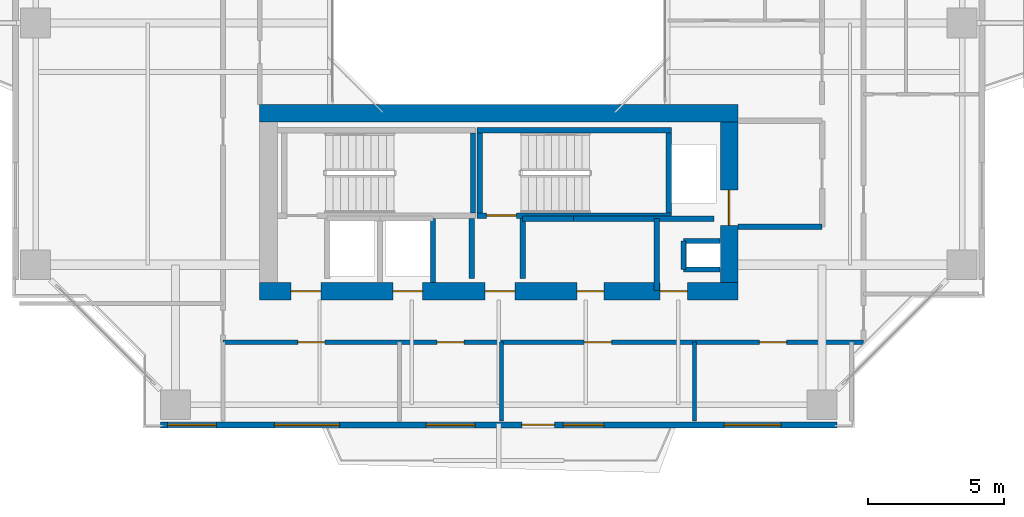
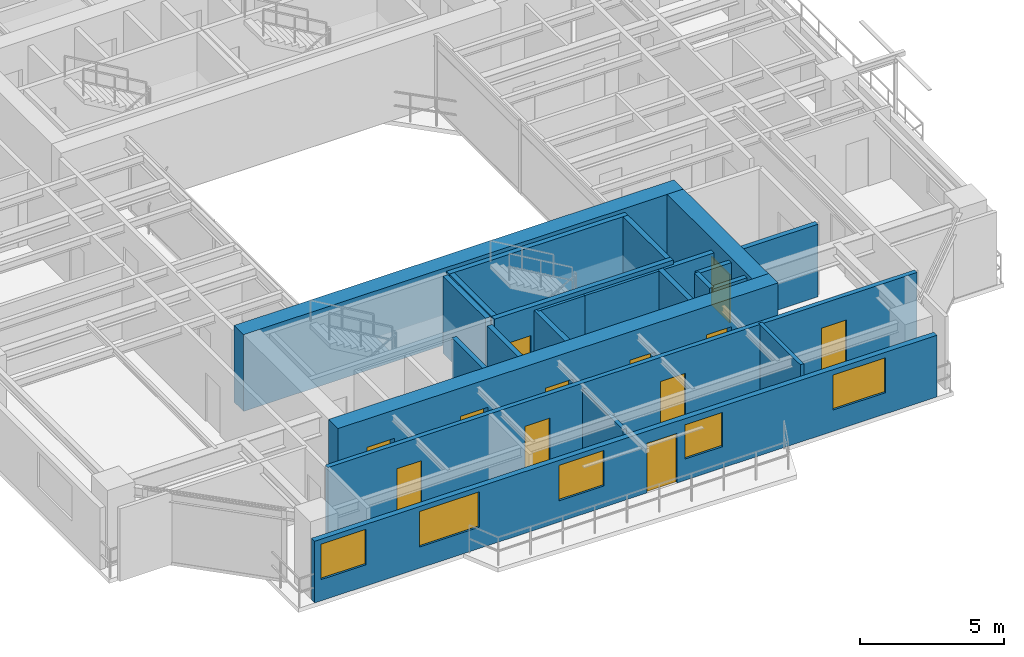
# One storey, part 10 of 17: 22 walls, 12 doors, 5 windows, 17 openings.
"""IFC4 building model written with IfcOpenShell, lengths in metres."""

from ifc_helpers import new_model, si_unit, direction, frame, frame_2d, origin, place, context, subcontext, project, spatial, rectangle, extrude, source, transform, mapped, material, layer, layer_set, type_object, element, fill, save


model = new_model("IFC4")

# Units and contexts
model_context = context("Model", 3, precision=1e-05, world=origin(), true_north=direction((0.0, 1.0)))
body_context = subcontext(model_context, "Body", "Model", "MODEL_VIEW")
ifc_project = project(units=[si_unit("LENGTHUNIT", "METRE"), si_unit("AREAUNIT", "SQUARE_METRE"), si_unit("VOLUMEUNIT", "CUBIC_METRE"), si_unit("PLANEANGLEUNIT", "RADIAN"), si_unit("MASSUNIT", "GRAM", prefix="KILO"), si_unit("THERMODYNAMICTEMPERATUREUNIT", "KELVIN"), si_unit("POWERUNIT", "WATT")], contexts=[model_context])

# Site, building, storey
site_placement = place(None, origin())
site = spatial("IfcSite", under=ifc_project, at=site_placement, CompositionType="ELEMENT")
building_placement = place(site_placement, origin())
building = spatial("IfcBuilding", under=site, at=building_placement, Name="Qiaomeng Ring Towers", CompositionType="ELEMENT")
storey_placement = place(building_placement, frame((0.0, 0.0, 116.5)))
storey = spatial("IfcBuildingStorey", under=building, at=storey_placement, Name="L33", CompositionType="ELEMENT", Elevation=116.5)

# Wall, openings, windows, door
ifc_material_1 = material(Name="Precast concrete C40", Category="concrete")
ifc_layer_1 = layer(ifc_material_1, 0.219970703125, Name="Precast concrete C40")
ifc_layer_set_1 = layer_set([ifc_layer_1], Name="Precast concrete C40")
wall_type_1 = type_object("IfcWallType", Name="ARC-WL-EW2", PredefinedType="STANDARD", material=ifc_layer_set_1)
wall_1_placement = place(storey_placement, frame((6.550048828125, 5.2099609375, 0.0), z_axis=(0.0, 0.0, 1.0), x_axis=(1.0, 0.0, 0.0)))
wall_1 = element("IfcWall", 1, at=wall_1_placement, inside=storey, type_object=wall_type_1, Name="L33 Tower 1 S Exterior Wall", PredefinedType="STANDARD", context=body_context, shape_type="SweptSolid", body=[
    extrude(rectangle(XDim=24.89990234375, YDim=0.219970703125, at=frame_2d((12.449951171875, 0.0))), origin(), (0.0, 0.0, 1.0), 2.610107421875),
])
opening_1_placement = place(wall_1_placement, frame((13.300048828125, 0.0, 0.0)))
opening_1 = element("IfcOpeningElement", 2, at=opening_1_placement, cuts=wall_1, Name="Opening BD1", PredefinedType="OPENING", context=body_context, shape_type="SweptSolid", body=[
    extrude(rectangle(XDim=1.199951171875, YDim=2.10009765625, at=frame_2d((0.60009765625, 1.050048828125))), frame((0.0, 0.119873046875, 0.0), z_axis=(0.0, -1.0, 0.0), x_axis=(1.0, 0.0, 0.0)), (0.0, 0.0, 1.0), 0.239990234375),
])
opening_2_placement = place(wall_1_placement, frame((0.257568359375, 0.0, 0.89990234375)))
opening_2 = element("IfcOpeningElement", 3, at=opening_2_placement, cuts=wall_1, Name="Opening WN1", PredefinedType="OPENING", context=body_context, shape_type="SweptSolid", body=[
    extrude(rectangle(XDim=1.800048828125, YDim=1.5, at=frame_2d((0.89990234375, 0.75))), frame((0.0, 0.119873046875, 0.0), z_axis=(0.0, -1.0, 0.0), x_axis=(1.0, 0.0, 0.0)), (0.0, 0.0, 1.0), 0.239990234375),
])
opening_3_placement = place(wall_1_placement, frame((9.77490234375, 0.0, 0.89990234375)))
opening_3 = element("IfcOpeningElement", 4, at=opening_3_placement, cuts=wall_1, Name="Opening WN1", PredefinedType="OPENING", context=body_context, shape_type="SweptSolid", body=[
    extrude(rectangle(XDim=1.800048828125, YDim=1.5, at=frame_2d((0.89990234375, 0.75))), frame((0.0, 0.119873046875, 0.0), z_axis=(0.0, -1.0, 0.0), x_axis=(1.0, 0.0, 0.0)), (0.0, 0.0, 1.0), 0.239990234375),
])
opening_4_placement = place(wall_1_placement, frame((14.81298828125, 0.0, 0.89990234375)))
opening_4 = element("IfcOpeningElement", 5, at=opening_4_placement, cuts=wall_1, Name="Opening WN2", PredefinedType="OPENING", context=body_context, shape_type="SweptSolid", body=[
    extrude(rectangle(XDim=1.5, YDim=1.449951171875, at=frame_2d((0.75, 0.72509765625))), frame((0.0, 0.119873046875, 0.0), z_axis=(0.0, -1.0, 0.0), x_axis=(1.0, 0.0, 0.0)), (0.0, 0.0, 1.0), 0.239990234375),
])
opening_5_placement = place(wall_1_placement, frame((20.738037109375, 0.0, 0.89990234375)))
opening_5 = element("IfcOpeningElement", 6, at=opening_5_placement, cuts=wall_1, Name="Opening WN4", PredefinedType="OPENING", context=body_context, shape_type="SweptSolid", body=[
    extrude(rectangle(XDim=2.10009765625, YDim=1.47998046875, at=frame_2d((1.050048828125, 0.739990234375))), frame((0.0, 0.119873046875, 0.0), z_axis=(0.0, -1.0, 0.0), x_axis=(1.0, 0.0, 0.0)), (0.0, 0.0, 1.0), 0.239990234375),
])
opening_6_placement = place(wall_1_placement, frame((4.1865234375, 0.0, 0.89990234375)))
opening_6 = element("IfcOpeningElement", 7, at=opening_6_placement, cuts=wall_1, Name="Opening WN6", PredefinedType="OPENING", context=body_context, shape_type="SweptSolid", body=[
    extrude(rectangle(XDim=2.39990234375, YDim=1.5, at=frame_2d((1.199951171875, 0.75))), frame((0.0, 0.119873046875, 0.0), z_axis=(0.0, -1.0, 0.0), x_axis=(1.0, 0.0, 0.0)), (0.0, 0.0, 1.0), 0.239990234375),
])
ifc_material_2 = material(Name="Low-E dark-grey laminated double glazing", Category="glass")
window_type_1 = type_object("IfcWindowType", Name="ARC-WN-2", PartitioningType="DOUBLE_PANEL_VERTICAL", PredefinedType="WINDOW", material=ifc_material_2)
shared_shape_1 = source(origin(), body_context, "Body", "SweptSolid", [
    extrude(rectangle(XDim=1.5, YDim=1.449951171875, at=frame_2d((0.75, 0.72509765625))), frame((0.0, 0.030029296875, 0.0), z_axis=(0.0, -1.0, 0.0), x_axis=(1.0, 0.0, 0.0)), (0.0, 0.0, 1.0), 0.06005859375),
])
window_1_placement = place(opening_4_placement, origin())
window_1 = element("IfcWindow", 8, at=window_1_placement, inside=storey, type_object=window_type_1, Name="L33 Exterior Window WN2", OverallHeight=1.449951171875, OverallWidth=1.5, PartitioningType="DOUBLE_PANEL_VERTICAL", PredefinedType="WINDOW", context=body_context, shape_type="MappedRepresentation", body=[
    mapped(shared_shape_1, transform((0.0, 0.0, 0.0), x_axis=(1.0, 0.0, 0.0), y_axis=(0.0, 1.0, 0.0), z_axis=(0.0, 0.0, 1.0), scale=1.0)),
])
fill(opening_4, window_1)
window_type_2 = type_object("IfcWindowType", Name="ARC-WN-4", PartitioningType="TRIPLE_PANEL_VERTICAL", PredefinedType="WINDOW", material=ifc_material_2)
shared_shape_2 = source(origin(), body_context, "Body", "SweptSolid", [
    extrude(rectangle(XDim=2.10009765625, YDim=1.47998046875, at=frame_2d((1.050048828125, 0.739990234375))), frame((0.0, 0.030029296875, 0.0), z_axis=(0.0, -1.0, 0.0), x_axis=(1.0, 0.0, 0.0)), (0.0, 0.0, 1.0), 0.06005859375),
])
window_2_placement = place(opening_5_placement, origin())
window_2 = element("IfcWindow", 9, at=window_2_placement, inside=storey, type_object=window_type_2, Name="L33 Exterior Window WN4", OverallHeight=1.47998046875, OverallWidth=2.10009765625, PartitioningType="TRIPLE_PANEL_VERTICAL", PredefinedType="WINDOW", context=body_context, shape_type="MappedRepresentation", body=[
    mapped(shared_shape_2, transform((0.0, 0.0, 0.0), x_axis=(1.0, 0.0, 0.0), y_axis=(0.0, 1.0, 0.0), z_axis=(0.0, 0.0, 1.0), scale=1.0)),
])
fill(opening_5, window_2)
door_type_1 = type_object("IfcDoorType", Name="ARC-DR-BD1", OperationType="NOTDEFINED", PredefinedType="DOOR", material=ifc_material_2)
shared_shape_3 = source(origin(), body_context, "Body", "SweptSolid", [
    extrude(rectangle(XDim=1.199951171875, YDim=2.10009765625, at=frame_2d((0.60009765625, 1.050048828125))), frame((0.0, 0.02490234375, 0.0), z_axis=(0.0, -1.0, 0.0), x_axis=(1.0, 0.0, 0.0)), (0.0, 0.0, 1.0), 0.050048828125),
])
door_1_placement = place(opening_1_placement, frame((1.199951171875, 0.0, 0.0), z_axis=(0.0, 0.0, 1.0), x_axis=(-1.0, 0.0, 0.0)))
door_1 = element("IfcDoor", 10, at=door_1_placement, inside=storey, type_object=door_type_1, Name="L33 S Balcony Glazed Door", OperationType="SINGLE_SWING_LEFT", OverallHeight=2.10009765625, OverallWidth=1.199951171875, PredefinedType="DOOR", context=body_context, shape_type="MappedRepresentation", body=[
    mapped(shared_shape_3, transform((0.0, 0.0, 0.0), x_axis=(1.0, 0.0, 0.0), y_axis=(0.0, 1.0, 0.0), z_axis=(0.0, 0.0, 1.0), scale=1.0)),
])
fill(opening_1, door_1)
window_type_3 = type_object("IfcWindowType", Name="ARC-WN-6", PartitioningType="TRIPLE_PANEL_VERTICAL", PredefinedType="WINDOW", material=ifc_material_2)
shared_shape_4 = source(origin(), body_context, "Body", "SweptSolid", [
    extrude(rectangle(XDim=2.39990234375, YDim=1.5, at=frame_2d((1.199951171875, 0.75))), frame((0.0, 0.030029296875, 0.0), z_axis=(0.0, -1.0, 0.0), x_axis=(1.0, 0.0, 0.0)), (0.0, 0.0, 1.0), 0.06005859375),
])
window_3_placement = place(opening_6_placement, origin())
window_3 = element("IfcWindow", 11, at=window_3_placement, inside=storey, type_object=window_type_3, Name="L33 Exterior Window WN6", OverallHeight=1.5, OverallWidth=2.39990234375, PartitioningType="TRIPLE_PANEL_VERTICAL", PredefinedType="WINDOW", context=body_context, shape_type="MappedRepresentation", body=[
    mapped(shared_shape_4, transform((0.0, 0.0, 0.0), x_axis=(1.0, 0.0, 0.0), y_axis=(0.0, 1.0, 0.0), z_axis=(0.0, 0.0, 1.0), scale=1.0)),
])
fill(opening_6, window_3)
window_type_4 = type_object("IfcWindowType", Name="ARC-WN-1", PartitioningType="DOUBLE_PANEL_VERTICAL", PredefinedType="WINDOW", material=ifc_material_2)
shared_shape_5 = source(origin(), body_context, "Body", "SweptSolid", [
    extrude(rectangle(XDim=1.800048828125, YDim=1.5, at=frame_2d((0.89990234375, 0.75))), frame((0.0, 0.030029296875, 0.0), z_axis=(0.0, -1.0, 0.0), x_axis=(1.0, 0.0, 0.0)), (0.0, 0.0, 1.0), 0.06005859375),
])
window_4_placement = place(opening_2_placement, origin())
window_4 = element("IfcWindow", 12, at=window_4_placement, inside=storey, type_object=window_type_4, Name="L33 Exterior Window WN6", OverallHeight=1.5, OverallWidth=1.800048828125, PartitioningType="TRIPLE_PANEL_VERTICAL", PredefinedType="WINDOW", context=body_context, shape_type="MappedRepresentation", body=[
    mapped(shared_shape_5, transform((0.0, 0.0, 0.0), x_axis=(1.0, 0.0, 0.0), y_axis=(0.0, 1.0, 0.0), z_axis=(0.0, 0.0, 1.0), scale=1.0)),
])
fill(opening_2, window_4)
window_5_placement = place(opening_3_placement, origin())
window_5 = element("IfcWindow", 13, at=window_5_placement, inside=storey, type_object=window_type_4, Name="L33 Exterior Window WN1", OverallHeight=1.5, OverallWidth=1.800048828125, PartitioningType="DOUBLE_PANEL_VERTICAL", PredefinedType="WINDOW", context=body_context, shape_type="MappedRepresentation", body=[
    mapped(shared_shape_5, transform((0.0, 0.0, 0.0), x_axis=(1.0, 0.0, 0.0), y_axis=(0.0, 1.0, 0.0), z_axis=(0.0, 0.0, 1.0), scale=1.0)),
])
fill(opening_3, window_5)

# Walls
ifc_material_3 = material(Name="Autoclaved aerated concrete block", Category="concrete")
ifc_layer_2 = layer(ifc_material_3, 0.199951171875, Name="Autoclaved aerated concrete block")
ifc_layer_set_2 = layer_set([ifc_layer_2], Name="Autoclaved aerated concrete block")
wall_type_2 = type_object("IfcWallType", Name="ARC-WL-PW1", PredefinedType="PARTITIONING", material=ifc_layer_set_2)
wall_2_placement = place(storey_placement, frame((27.800048828125, 12.5, 0.0), z_axis=(0.0, 0.0, 1.0), x_axis=(1.0, 0.0, 0.0)))
element("IfcWall", 14, at=wall_2_placement, inside=storey, type_object=wall_type_2, Name="L33 Interior Wall PW1", PredefinedType="PARTITIONING", context=body_context, shape_type="SweptSolid", body=[
    extrude(rectangle(XDim=3.099853515625, YDim=0.199951171875, at=frame_2d((1.5498046875, 0.0))), origin(), (0.0, 0.0, 1.0), 3.070068359375),
])
for number, where, z_axis, x_axis, name in (
    (15, (18.0, 10.60009765625, 0.0), (0.0, 0.0, 1.0), (0.0, 1.0, 0.0), "L33 Interior Wall PW1"),
    (16, (19.8798828125, 10.60009765625, 0.0), (0.0, 0.0, 1.0), (0.0, 1.0, 0.0), "L33 Interior Wall PW1"),
):
    element("IfcWall", number, at=place(storey_placement, frame(where, z_axis=z_axis, x_axis=x_axis)), inside=storey, type_object=wall_type_2, Name=name, PredefinedType="PARTITIONING", context=body_context, shape_type="SweptSolid", body=[
        extrude(rectangle(XDim=2.2099609375, YDim=0.199951171875, at=frame_2d((1.10498046875, 0.0))), origin(), (0.0, 0.0, 1.0), 3.070068359375),
    ])
wall_3_placement = place(storey_placement, frame((24.820068359375, 10.14990234375, 0.0), z_axis=(0.0, 0.0, 1.0), x_axis=(0.0, 1.0, 0.0)))
element("IfcWall", 17, at=wall_3_placement, inside=storey, type_object=wall_type_2, Name="L33 Interior Wall PW1", PredefinedType="PARTITIONING", context=body_context, shape_type="SweptSolid", body=[
    extrude(rectangle(XDim=2.650146484375, YDim=0.199951171875, at=frame_2d((1.3251953125, 0.0))), origin(), (0.0, 0.0, 1.0), 3.070068359375),
])
wall_4_placement = place(storey_placement, frame((19.8798828125, 12.800048828125, 0.0), z_axis=(0.0, 0.0, 1.0), x_axis=(1.0, 0.0, 0.0)))
element("IfcWall", 18, at=wall_4_placement, inside=storey, type_object=wall_type_2, Name="L33 Interior Wall PW1", PredefinedType="PARTITIONING", context=body_context, shape_type="SweptSolid", body=[
    extrude(rectangle(XDim=1.8701171875, YDim=0.199951171875, at=frame_2d((0.93505859375, 0.0))), origin(), (0.0, 0.0, 1.0), 3.070068359375),
])
wall_5_placement = place(storey_placement, frame((21.75, 12.800048828125, 0.0), z_axis=(0.0, 0.0, 1.0), x_axis=(1.0, 0.0, 0.0)))
element("IfcWall", 19, at=wall_5_placement, inside=storey, type_object=wall_type_2, Name="L33 Interior Wall PW1", PredefinedType="PARTITIONING", context=body_context, shape_type="SweptSolid", body=[
    extrude(rectangle(XDim=5.169921875, YDim=0.199951171875, at=frame_2d((2.5849609375, 0.0))), origin(), (0.0, 0.0, 1.0), 3.070068359375),
])

# Wall, openings, doors
ifc_layer_3 = layer(ifc_material_3, 0.179931640625, Name="Autoclaved aerated concrete block")
ifc_layer_set_3 = layer_set([ifc_layer_3], Name="Autoclaved aerated concrete block")
wall_type_3 = type_object("IfcWallType", Name="ARC-WL-PW2", PredefinedType="PARTITIONING", material=ifc_layer_set_3)
wall_6_placement = place(storey_placement, frame((8.85009765625, 8.25, 0.0), z_axis=(0.0, 0.0, 1.0), x_axis=(1.0, 0.0, 0.0)))
wall_6 = element("IfcWall", 20, at=wall_6_placement, inside=storey, type_object=wall_type_3, Name="L33 Interior Wall PW2", PredefinedType="PARTITIONING", context=body_context, shape_type="SweptSolid", body=[
    extrude(rectangle(XDim=23.56982421875, YDim=0.179931640625, at=frame_2d((11.784912109375, 0.0))), origin(), (0.0, 0.0, 1.0), 3.070068359375),
])
opening_7_placement = place(wall_6_placement, frame((2.75, 0.0, 0.0)))
opening_7 = element("IfcOpeningElement", 21, at=opening_7_placement, cuts=wall_6, Name="Opening FD4", PredefinedType="OPENING", context=body_context, shape_type="SweptSolid", body=[
    extrude(rectangle(XDim=1.0, YDim=2.050048828125, at=frame_2d((0.5, 1.02490234375))), frame((0.0, 0.099853515625, 0.0), z_axis=(0.0, -1.0, 0.0), x_axis=(1.0, 0.0, 0.0)), (0.0, 0.0, 1.0), 0.199951171875),
])
opening_8_placement = place(wall_6_placement, frame((7.875, 0.0, 0.0)))
opening_8 = element("IfcOpeningElement", 22, at=opening_8_placement, cuts=wall_6, Name="Opening FD4", PredefinedType="OPENING", context=body_context, shape_type="SweptSolid", body=[
    extrude(rectangle(XDim=1.0, YDim=2.050048828125, at=frame_2d((0.5, 1.02490234375))), frame((0.0, 0.099853515625, 0.0), z_axis=(0.0, -1.0, 0.0), x_axis=(1.0, 0.0, 0.0)), (0.0, 0.0, 1.0), 0.199951171875),
])
opening_9_placement = place(wall_6_placement, frame((13.300048828125, 0.0, 0.0)))
opening_9 = element("IfcOpeningElement", 23, at=opening_9_placement, cuts=wall_6, Name="Opening FD4", PredefinedType="OPENING", context=body_context, shape_type="SweptSolid", body=[
    extrude(rectangle(XDim=1.0, YDim=2.050048828125, at=frame_2d((0.5, 1.02490234375))), frame((0.0, 0.099853515625, 0.0), z_axis=(0.0, -1.0, 0.0), x_axis=(1.0, 0.0, 0.0)), (0.0, 0.0, 1.0), 0.199951171875),
])
opening_10_placement = place(wall_6_placement, frame((19.739990234375, 0.0, 0.0)))
opening_10 = element("IfcOpeningElement", 24, at=opening_10_placement, cuts=wall_6, Name="Opening FD4", PredefinedType="OPENING", context=body_context, shape_type="SweptSolid", body=[
    extrude(rectangle(XDim=1.0, YDim=2.050048828125, at=frame_2d((0.5, 1.02490234375))), frame((0.0, 0.099853515625, 0.0), z_axis=(0.0, -1.0, 0.0), x_axis=(1.0, 0.0, 0.0)), (0.0, 0.0, 1.0), 0.199951171875),
])
ifc_material_4 = material(Name="Engineered fire-rated oak timber", Category="wood")
door_type_2 = type_object("IfcDoorType", Name="ARC-DR-FD4", OperationType="NOTDEFINED", PredefinedType="DOOR", material=ifc_material_4)
shared_shape_6 = source(origin(), body_context, "Body", "SweptSolid", [
    extrude(rectangle(XDim=1.0, YDim=2.050048828125, at=frame_2d((0.5, 1.02490234375))), frame((0.0, 0.02490234375, 0.0), z_axis=(0.0, -1.0, 0.0), x_axis=(1.0, 0.0, 0.0)), (0.0, 0.0, 1.0), 0.050048828125),
])
door_2_placement = place(opening_7_placement, origin())
door_2 = element("IfcDoor", 25, at=door_2_placement, inside=storey, type_object=door_type_2, Name="L33 Door FD4", OperationType="SINGLE_SWING_RIGHT", OverallHeight=2.050048828125, OverallWidth=1.0, PredefinedType="DOOR", context=body_context, shape_type="MappedRepresentation", body=[
    mapped(shared_shape_6, transform((0.0, 0.0, 0.0), x_axis=(1.0, 0.0, 0.0), y_axis=(0.0, 1.0, 0.0), z_axis=(0.0, 0.0, 1.0), scale=1.0)),
])
fill(opening_7, door_2)
door_3_placement = place(opening_8_placement, origin())
door_3 = element("IfcDoor", 26, at=door_3_placement, inside=storey, type_object=door_type_2, Name="L33 Door FD4", OperationType="SINGLE_SWING_LEFT", OverallHeight=2.050048828125, OverallWidth=1.0, PredefinedType="DOOR", context=body_context, shape_type="MappedRepresentation", body=[
    mapped(shared_shape_6, transform((0.0, 0.0, 0.0), x_axis=(1.0, 0.0, 0.0), y_axis=(0.0, 1.0, 0.0), z_axis=(0.0, 0.0, 1.0), scale=1.0)),
])
fill(opening_8, door_3)
door_4_placement = place(opening_9_placement, origin())
door_4 = element("IfcDoor", 27, at=door_4_placement, inside=storey, type_object=door_type_2, Name="L33 Door FD4", OperationType="SINGLE_SWING_RIGHT", OverallHeight=2.050048828125, OverallWidth=1.0, PredefinedType="DOOR", context=body_context, shape_type="MappedRepresentation", body=[
    mapped(shared_shape_6, transform((0.0, 0.0, 0.0), x_axis=(1.0, 0.0, 0.0), y_axis=(0.0, 1.0, 0.0), z_axis=(0.0, 0.0, 1.0), scale=1.0)),
])
fill(opening_9, door_4)
door_5_placement = place(opening_10_placement, origin())
door_5 = element("IfcDoor", 28, at=door_5_placement, inside=storey, type_object=door_type_2, Name="L33 Door FD4", OperationType="SINGLE_SWING_LEFT", OverallHeight=2.050048828125, OverallWidth=1.0, PredefinedType="DOOR", context=body_context, shape_type="MappedRepresentation", body=[
    mapped(shared_shape_6, transform((0.0, 0.0, 0.0), x_axis=(1.0, 0.0, 0.0), y_axis=(0.0, 1.0, 0.0), z_axis=(0.0, 0.0, 1.0), scale=1.0)),
])
fill(opening_10, door_5)

# Walls
ifc_material_5 = material(Name="Gypsum fireboard steel-stud partition", Category="steel")
ifc_layer_4 = layer(ifc_material_5, 0.14990234375, Name="Gypsum fireboard steel-stud partition")
ifc_layer_set_4 = layer_set([ifc_layer_4], Name="Gypsum fireboard steel-stud partition")
wall_type_4 = type_object("IfcWallType", Name="ARC-WL-PW3", PredefinedType="PARTITIONING", material=ifc_layer_set_4)
wall_7_placement = place(storey_placement, frame((19.10009765625, 5.35009765625, 0.0), z_axis=(0.0, 0.0, 1.0), x_axis=(0.0, 1.0, 0.0)))
element("IfcWall", 29, at=wall_7_placement, inside=storey, type_object=wall_type_4, Name="L33 Interior Wall PW3", PredefinedType="PARTITIONING", context=body_context, shape_type="SweptSolid", body=[
    extrude(rectangle(XDim=2.89990234375, YDim=0.14990234375, at=frame_2d((1.449951171875, 0.0))), origin(), (0.0, 0.0, 1.0), 2.81494140625),
])
wall_8_placement = place(storey_placement, frame((26.199951171875, 5.35009765625, 0.0), z_axis=(0.0, 0.0, 1.0), x_axis=(0.0, 1.0, 0.0)))
element("IfcWall", 30, at=wall_8_placement, inside=storey, type_object=wall_type_4, Name="L33 Interior Wall PW3", PredefinedType="PARTITIONING", context=body_context, shape_type="SweptSolid", body=[
    extrude(rectangle(XDim=2.89990234375, YDim=0.14990234375, at=frame_2d((1.449951171875, 0.0))), origin(), (0.0, 0.0, 1.0), 3.070068359375),
])
ifc_material_6 = material(Name="Concrete C40", Category="concrete")
ifc_layer_5 = layer(ifc_material_6, 0.199951171875, Name="Concrete C40")
ifc_layer_set_5 = layer_set([ifc_layer_5], Name="Concrete C40")
wall_type_5 = type_object("IfcWallType", Name="STR-WL-STSHAFT", PredefinedType="SHEAR", material=ifc_layer_set_5)
wall_9_placement = place(storey_placement, frame((25.800048828125, 10.919921875, 0.0), z_axis=(0.0, 0.0, 1.0), x_axis=(0.0, 1.0, 0.0)))
element("IfcWall", 31, at=wall_9_placement, inside=storey, type_object=wall_type_5, Name="L33 Riser RSR1 West Shaft Wall S", PredefinedType="SHEAR", context=body_context, shape_type="SweptSolid", body=[
    extrude(rectangle(XDim=1.06005859375, YDim=0.179931640625, at=frame_2d((0.530029296875, 0.0))), origin(), (0.0, 0.0, 1.0), 3.070068359375),
])
for number, where, z_axis, x_axis, name in (
    (32, (25.800048828125, 11.97998046875, 0.0), (0.0, 0.0, 1.0), (1.0, 0.0, 0.0), "L33 Riser RSR1 North Shaft Wall S"),
    (33, (25.800048828125, 10.919921875, 0.0), (0.0, 0.0, 1.0), (1.0, 0.0, 0.0), "L33 Riser RSR1 South Shaft Wall S"),
):
    element("IfcWall", number, at=place(storey_placement, frame(where, z_axis=z_axis, x_axis=x_axis)), inside=storey, type_object=wall_type_5, Name=name, PredefinedType="SHEAR", context=body_context, shape_type="SweptSolid", body=[
        extrude(rectangle(XDim=1.349853515625, YDim=0.179931640625, at=frame_2d((0.6748046875, 0.0))), origin(), (0.0, 0.0, 1.0), 3.070068359375),
    ])
wall_10_placement = place(storey_placement, frame((16.580078125, 10.449951171875, 0.0), z_axis=(0.0, 0.0, 1.0), x_axis=(0.0, 1.0, 0.0)))
element("IfcWall", 34, at=wall_10_placement, inside=storey, type_object=wall_type_5, Name="L33 Lift LP4 East Shaft Wall", PredefinedType="SHEAR", context=body_context, shape_type="SweptSolid", body=[
    extrude(rectangle(XDim=2.35009765625, YDim=0.179931640625, at=frame_2d((1.175048828125, 0.0))), origin(), (0.0, 0.0, 1.0), 3.070068359375),
])
wall_11_placement = place(storey_placement, frame((18.050048828125, 13.010009765625, 0.0), z_axis=(0.0, 0.0, 1.0), x_axis=(0.0, 1.0, 0.0)))
element("IfcWall", 35, at=wall_11_placement, inside=storey, type_object=wall_type_5, Name="L33 Stair ST3 East Shaft Shear Wall", PredefinedType="SHEAR", context=body_context, shape_type="SweptSolid", body=[
    extrude(rectangle(XDim=2.93994140625, YDim=0.199951171875, at=frame_2d((1.469970703125, 0.0))), origin(), (0.0, 0.0, 1.0), 3.25),
])

# Wall, opening, door
wall_12_placement = place(storey_placement, frame((18.199951171875, 12.909912109375, 0.0), z_axis=(0.0, 0.0, 1.0), x_axis=(1.0, 0.0, 0.0)))
wall_12 = element("IfcWall", 36, at=wall_12_placement, inside=storey, type_object=wall_type_5, Name="L33 Stair ST4 South Shaft Shear Wall", PredefinedType="SHEAR", context=body_context, shape_type="SweptSolid", body=[
    extrude(rectangle(XDim=7.150146484375, YDim=0.199951171875, at=frame_2d((3.5751953125, 0.0))), origin(), (0.0, 0.0, 1.0), 3.25),
])
opening_11_placement = place(wall_12_placement, frame((0.35009765625, 0.0, 0.0)))
opening_11 = element("IfcOpeningElement", 37, at=opening_11_placement, cuts=wall_12, Name="Opening FD3", PredefinedType="OPENING", context=body_context, shape_type="SweptSolid", body=[
    extrude(rectangle(XDim=1.10009765625, YDim=2.050048828125, at=frame_2d((0.550048828125, 1.02490234375))), frame((0.0, 0.10986328125, 0.0), z_axis=(0.0, -1.0, 0.0), x_axis=(1.0, 0.0, 0.0)), (0.0, 0.0, 1.0), 0.219970703125),
])
ifc_material_7 = material(Name="Galvanised steel", Category="steel")
door_type_3 = type_object("IfcDoorType", Name="ARC-DR-FD3", OperationType="NOTDEFINED", PredefinedType="DOOR", material=ifc_material_7)
shared_shape_7 = source(origin(), body_context, "Body", "SweptSolid", [
    extrude(rectangle(XDim=1.10009765625, YDim=2.050048828125, at=frame_2d((0.550048828125, 1.02490234375))), frame((0.0, 0.02490234375, 0.0), z_axis=(0.0, -1.0, 0.0), x_axis=(1.0, 0.0, 0.0)), (0.0, 0.0, 1.0), 0.050048828125),
])
door_6_placement = place(opening_11_placement, frame((1.10009765625, 0.0, 0.0), z_axis=(0.0, 0.0, 1.0), x_axis=(-1.0, 0.0, 0.0)))
door_6 = element("IfcDoor", 38, at=door_6_placement, inside=storey, type_object=door_type_3, Name="L33 Stair ST4 Exit Door", OperationType="SINGLE_SWING_RIGHT", OverallHeight=2.050048828125, OverallWidth=1.10009765625, PredefinedType="DOOR", context=body_context, shape_type="MappedRepresentation", body=[
    mapped(shared_shape_7, transform((0.0, 0.0, 0.0), x_axis=(1.0, 0.0, 0.0), y_axis=(0.0, 1.0, 0.0), z_axis=(0.0, 0.0, 1.0), scale=1.0)),
])
fill(opening_11, door_6)

# Walls
wall_13_placement = place(storey_placement, frame((18.199951171875, 16.050048828125, 0.0), z_axis=(0.0, 0.0, 1.0), x_axis=(1.0, 0.0, 0.0)))
element("IfcWall", 39, at=wall_13_placement, inside=storey, type_object=wall_type_5, Name="L33 Stair ST4 North Shaft Shear Wall", PredefinedType="SHEAR", context=body_context, shape_type="SweptSolid", body=[
    extrude(rectangle(XDim=7.150146484375, YDim=0.199951171875, at=frame_2d((3.5751953125, 0.0))), origin(), (0.0, 0.0, 1.0), 3.25),
])
for number, where, z_axis, x_axis, name in (
    (40, (18.300048828125, 13.010009765625, 0.0), (0.0, 0.0, 1.0), (0.0, 1.0, 0.0), "L33 Stair ST4 West Shaft Shear Wall"),
    (41, (25.25, 13.010009765625, 0.0), (0.0, 0.0, 1.0), (0.0, 1.0, 0.0), "L33 Stair ST4 East Shaft Shear Wall"),
):
    element("IfcWall", number, at=place(storey_placement, frame(where, z_axis=z_axis, x_axis=x_axis)), inside=storey, type_object=wall_type_5, Name=name, PredefinedType="SHEAR", context=body_context, shape_type="SweptSolid", body=[
        extrude(rectangle(XDim=2.93994140625, YDim=0.199951171875, at=frame_2d((1.469970703125, 0.0))), origin(), (0.0, 0.0, 1.0), 3.25),
    ])

# Wall, openings, doors
ifc_material_8 = material(Name="Concrete C55", Category="concrete")
ifc_layer_6 = layer(ifc_material_8, 0.64990234375, Name="Concrete C55")
ifc_layer_set_6 = layer_set([ifc_layer_6], Name="Concrete C55")
wall_type_6 = type_object("IfcWallType", Name="STR-WL-SW2A", PredefinedType="SHEAR", material=ifc_layer_set_6)
wall_14_placement = place(storey_placement, frame((10.199951171875, 10.125, 0.0), z_axis=(0.0, 0.0, 1.0), x_axis=(1.0, 0.0, 0.0)))
wall_14 = element("IfcWall", 42, at=wall_14_placement, inside=storey, type_object=wall_type_6, Name="L33 T1SC south core shear wall", PredefinedType="SHEAR", context=body_context, shape_type="SweptSolid", body=[
    extrude(rectangle(XDim=17.60009765625, YDim=0.64990234375, at=frame_2d((8.800048828125, 0.0))), origin(), (0.0, 0.0, 1.0), 3.25),
])
opening_12_placement = place(wall_14_placement, frame((1.14990234375, 0.0, 0.0)))
opening_12 = element("IfcOpeningElement", 43, at=opening_12_placement, cuts=wall_14, Name="Opening FD3", PredefinedType="OPENING", context=body_context, shape_type="SweptSolid", body=[
    extrude(rectangle(XDim=1.10009765625, YDim=2.050048828125, at=frame_2d((0.550048828125, 1.02490234375))), frame((0.0, 0.3349609375, 0.0), z_axis=(0.0, -1.0, 0.0), x_axis=(1.0, 0.0, 0.0)), (0.0, 0.0, 1.0), 0.669921875),
])
opening_13_placement = place(wall_14_placement, frame((8.300048828125, 0.0, 0.0)))
opening_13 = element("IfcOpeningElement", 44, at=opening_13_placement, cuts=wall_14, Name="Opening FD3", PredefinedType="OPENING", context=body_context, shape_type="SweptSolid", body=[
    extrude(rectangle(XDim=1.10009765625, YDim=2.050048828125, at=frame_2d((0.550048828125, 1.02490234375))), frame((0.0, 0.3349609375, 0.0), z_axis=(0.0, -1.0, 0.0), x_axis=(1.0, 0.0, 0.0)), (0.0, 0.0, 1.0), 0.669921875),
])
opening_14_placement = place(wall_14_placement, frame((4.89990234375, 0.0, 0.0)))
opening_14 = element("IfcOpeningElement", 45, at=opening_14_placement, cuts=wall_14, Name="Opening LD1", PredefinedType="OPENING", context=body_context, shape_type="SweptSolid", body=[
    extrude(rectangle(XDim=1.10009765625, YDim=2.050048828125, at=frame_2d((0.550048828125, 1.02490234375))), frame((0.0, 0.3349609375, 0.0), z_axis=(0.0, -1.0, 0.0), x_axis=(1.0, 0.0, 0.0)), (0.0, 0.0, 1.0), 0.669921875),
])
opening_15_placement = place(wall_14_placement, frame((14.739990234375, 0.0, 0.0)))
opening_15 = element("IfcOpeningElement", 46, at=opening_15_placement, cuts=wall_14, Name="Opening FD1", PredefinedType="OPENING", context=body_context, shape_type="SweptSolid", body=[
    extrude(rectangle(XDim=1.0, YDim=2.050048828125, at=frame_2d((0.5, 1.02490234375))), frame((0.0, 0.3349609375, 0.0), z_axis=(0.0, -1.0, 0.0), x_axis=(1.0, 0.0, 0.0)), (0.0, 0.0, 1.0), 0.669921875),
])
opening_16_placement = place(wall_14_placement, frame((11.669921875, 0.0, 0.0)))
opening_16 = element("IfcOpeningElement", 47, at=opening_16_placement, cuts=wall_14, Name="Opening FD1", PredefinedType="OPENING", context=body_context, shape_type="SweptSolid", body=[
    extrude(rectangle(XDim=1.0, YDim=2.050048828125, at=frame_2d((0.5, 1.02490234375))), frame((0.0, 0.3349609375, 0.0), z_axis=(0.0, -1.0, 0.0), x_axis=(1.0, 0.0, 0.0)), (0.0, 0.0, 1.0), 0.669921875),
])
door_7_placement = place(opening_12_placement, origin())
door_7 = element("IfcDoor", 48, at=door_7_placement, inside=storey, type_object=door_type_3, Name="L33 Stair ST3 Lobby Door", OperationType="SINGLE_SWING_LEFT", OverallHeight=2.050048828125, OverallWidth=1.10009765625, PredefinedType="DOOR", context=body_context, shape_type="MappedRepresentation", body=[
    mapped(shared_shape_7, transform((0.0, 0.0, 0.0), x_axis=(1.0, 0.0, 0.0), y_axis=(0.0, 1.0, 0.0), z_axis=(0.0, 0.0, 1.0), scale=1.0)),
])
fill(opening_12, door_7)
door_8_placement = place(opening_13_placement, origin())
door_8 = element("IfcDoor", 49, at=door_8_placement, inside=storey, type_object=door_type_3, Name="L33 Stair ST4 Lobby Door", OperationType="SINGLE_SWING_LEFT", OverallHeight=2.050048828125, OverallWidth=1.10009765625, PredefinedType="DOOR", context=body_context, shape_type="MappedRepresentation", body=[
    mapped(shared_shape_7, transform((0.0, 0.0, 0.0), x_axis=(1.0, 0.0, 0.0), y_axis=(0.0, 1.0, 0.0), z_axis=(0.0, 0.0, 1.0), scale=1.0)),
])
fill(opening_13, door_8)
ifc_material_9 = material(Name="Stainless steel 316", Category="steel")
door_type_4 = type_object("IfcDoorType", Name="ARC-DR-LD1", OperationType="NOTDEFINED", PredefinedType="DOOR", material=ifc_material_9)
door_9_placement = place(opening_14_placement, origin())
door_9 = element("IfcDoor", 50, at=door_9_placement, inside=storey, type_object=door_type_4, Name="L33 Mid-Zone Lift LP4 Landing Door", OperationType="SLIDING_TO_RIGHT", OverallHeight=2.050048828125, OverallWidth=1.10009765625, PredefinedType="DOOR", context=body_context, shape_type="MappedRepresentation", body=[
    mapped(shared_shape_7, transform((0.0, 0.0, 0.0), x_axis=(1.0, 0.0, 0.0), y_axis=(0.0, 1.0, 0.0), z_axis=(0.0, 0.0, 1.0), scale=1.0)),
])
fill(opening_14, door_9)
door_type_5 = type_object("IfcDoorType", Name="ARC-DR-FD1", OperationType="NOTDEFINED", PredefinedType="DOOR", material=ifc_material_7)
door_10_placement = place(opening_15_placement, origin())
door_10 = element("IfcDoor", 51, at=door_10_placement, inside=storey, type_object=door_type_5, Name="L33 South Electrical Riser Door", OperationType="SINGLE_SWING_RIGHT", OverallHeight=2.050048828125, OverallWidth=1.0, PredefinedType="DOOR", context=body_context, shape_type="MappedRepresentation", body=[
    mapped(shared_shape_6, transform((0.0, 0.0, 0.0), x_axis=(1.0, 0.0, 0.0), y_axis=(0.0, 1.0, 0.0), z_axis=(0.0, 0.0, 1.0), scale=1.0)),
])
fill(opening_15, door_10)
door_11_placement = place(opening_16_placement, origin())
door_11 = element("IfcDoor", 52, at=door_11_placement, inside=storey, type_object=door_type_5, Name="L33 South Building Management Office Door", OperationType="SINGLE_SWING_LEFT", OverallHeight=2.050048828125, OverallWidth=1.0, PredefinedType="DOOR", context=body_context, shape_type="MappedRepresentation", body=[
    mapped(shared_shape_6, transform((0.0, 0.0, 0.0), x_axis=(1.0, 0.0, 0.0), y_axis=(0.0, 1.0, 0.0), z_axis=(0.0, 0.0, 1.0), scale=1.0)),
])
fill(opening_16, door_11)

# Wall
wall_15_placement = place(storey_placement, frame((10.199951171875, 16.675048828125, 0.0), z_axis=(0.0, 0.0, 1.0), x_axis=(1.0, 0.0, 0.0)))
element("IfcWall", 53, at=wall_15_placement, inside=storey, type_object=wall_type_6, Name="L33 T1SC north core shear wall", PredefinedType="SHEAR", context=body_context, shape_type="SweptSolid", body=[
    extrude(rectangle(XDim=17.60009765625, YDim=0.64990234375, at=frame_2d((8.800048828125, 0.0))), origin(), (0.0, 0.0, 1.0), 3.25),
])

# Wall, opening, door
wall_16_placement = place(storey_placement, frame((27.47509765625, 10.449951171875, 0.0), z_axis=(0.0, 0.0, 1.0), x_axis=(0.0, 1.0, 0.0)))
wall_16 = element("IfcWall", 54, at=wall_16_placement, inside=storey, type_object=wall_type_6, Name="L33 T1SC east core shear wall", PredefinedType="SHEAR", context=body_context, shape_type="SweptSolid", body=[
    extrude(rectangle(XDim=5.900146484375, YDim=0.64990234375, at=frame_2d((2.9501953125, 0.0))), origin(), (0.0, 0.0, 1.0), 3.25),
])
opening_17_placement = place(wall_16_placement, frame((2.10009765625, 0.0, 0.0)))
opening_17 = element("IfcOpeningElement", 55, at=opening_17_placement, cuts=wall_16, Name="Opening LD2", PredefinedType="OPENING", context=body_context, shape_type="SweptSolid", body=[
    extrude(rectangle(XDim=1.300048828125, YDim=2.050048828125, at=frame_2d((0.64990234375, 1.02490234375))), frame((0.0, 0.3349609375, 0.0), z_axis=(0.0, -1.0, 0.0), x_axis=(1.0, 0.0, 0.0)), (0.0, 0.0, 1.0), 0.669921875),
])
door_type_6 = type_object("IfcDoorType", Name="ARC-DR-LD2", OperationType="NOTDEFINED", PredefinedType="DOOR", material=ifc_material_9)
shared_shape_8 = source(origin(), body_context, "Body", "SweptSolid", [
    extrude(rectangle(XDim=1.300048828125, YDim=2.050048828125, at=frame_2d((0.64990234375, 1.02490234375))), frame((0.0, 0.02490234375, 0.0), z_axis=(0.0, -1.0, 0.0), x_axis=(1.0, 0.0, 0.0)), (0.0, 0.0, 1.0), 0.050048828125),
])
door_12_placement = place(opening_17_placement, origin())
door_12 = element("IfcDoor", 56, at=door_12_placement, inside=storey, type_object=door_type_6, Name="L33 Firefighting Lift FL2 Landing Door", OperationType="SLIDING_TO_RIGHT", OverallHeight=2.050048828125, OverallWidth=1.300048828125, PredefinedType="DOOR", context=body_context, shape_type="MappedRepresentation", body=[
    mapped(shared_shape_8, transform((0.0, 0.0, 0.0), x_axis=(1.0, 0.0, 0.0), y_axis=(0.0, 1.0, 0.0), z_axis=(0.0, 0.0, 1.0), scale=1.0)),
])
fill(opening_17, door_12)

save(model, "model.ifc")
